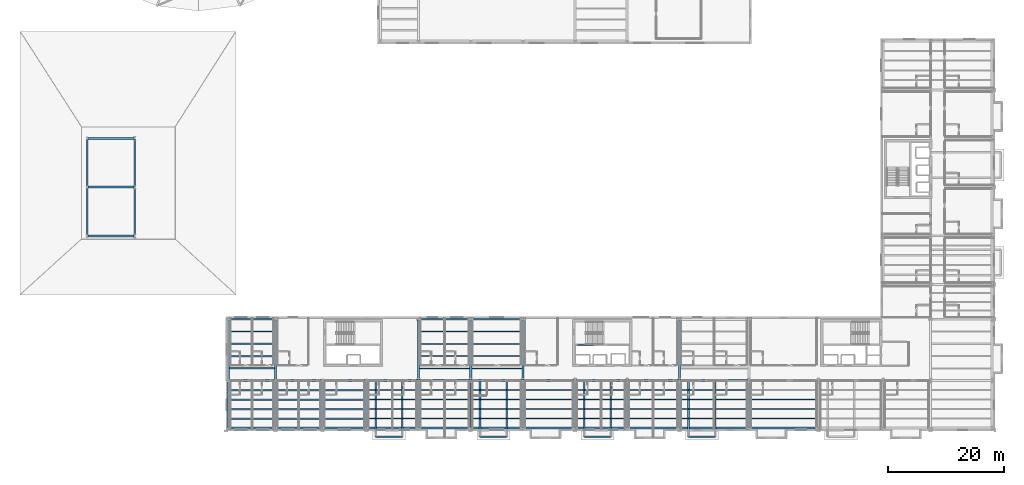
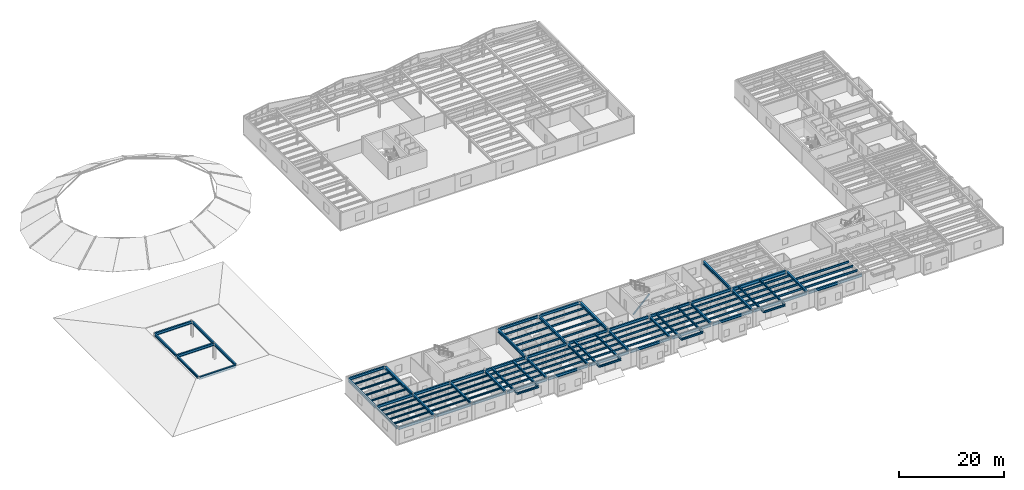
# One storey, part 10 of 46: 115 beams, 1 member.
"""IFC4 building model written with IfcOpenShell, lengths in metres."""

from ifc_helpers import new_model, si_unit, direction, frame, origin, origin_2d, place, context, subcontext, project, spatial, hollow_rectangle, i_section, extrude, material, material_profile, profile_set, type_object, element, save


model = new_model("IFC4")

# Units and contexts
model_context = context("Model", 3, precision=1e-05, world=origin(), true_north=direction((0.0, 1.0)))
body_context = subcontext(model_context, "Body", "Model", "MODEL_VIEW")
ifc_project = project(units=[si_unit("LENGTHUNIT", "METRE"), si_unit("AREAUNIT", "SQUARE_METRE"), si_unit("VOLUMEUNIT", "CUBIC_METRE"), si_unit("PLANEANGLEUNIT", "RADIAN"), si_unit("MASSUNIT", "GRAM", prefix="KILO")], contexts=[model_context])

# Site, building, storey
site_placement = place(None, origin())
site = spatial("IfcSite", under=ifc_project, at=site_placement, CompositionType="ELEMENT")
building_placement = place(site_placement, origin())
building = spatial("IfcBuilding", under=site, at=building_placement, Name="Sollismere Congress Hotel", CompositionType="ELEMENT")
storey_placement = place(building_placement, frame((0.0, 0.0, 19.5)))
storey = spatial("IfcBuildingStorey", under=building, at=storey_placement, Name="L04", CompositionType="ELEMENT", Elevation=19.5)

# Beams
ifc_material_1 = material(Name="Steel ASTM A992 Grade 50", Category="steel")
ifc_material_profile_1 = material_profile(ifc_material_1, i_section(OverallWidth=0.281982421875, OverallDepth=0.471923828125, WebThickness=0.013671875, FlangeThickness=0.022216796875, at=origin_2d()), Name="W18X97")
ifc_profile_set_1 = profile_set([ifc_material_profile_1], Name="Steel ASTM A992 Grade 50")
beam_type_1 = type_object("IfcBeamType", Name="BM-CK18E", PredefinedType="BEAM", material=ifc_profile_set_1)
for number, where, z_axis, x_axis, name in (
    (1, (59.60009765625, 8.199951171875, 3.3740234375), (0.0, -1.0, 0.0), (1.0, 0.0, 0.0), "Beam BM-L04-3926"),
    (2, (64.199951171875, 8.199951171875, 3.3740234375), (0.0, -1.0, 0.0), (1.0, 0.0, 0.0), "Beam BM-L04-3927"),
    (3, (77.60009765625, 8.199951171875, 3.3740234375), (0.0, -1.0, 0.0), (1.0, 0.0, 0.0), "Beam BM-L04-3929"),
    (4, (82.199951171875, 8.199951171875, 3.3740234375), (0.0, -1.0, 0.0), (1.0, 0.0, 0.0), "Beam BM-L04-3930"),
    (5, (95.60009765625, 8.199951171875, 3.3740234375), (0.0, -1.0, 0.0), (1.0, 0.0, 0.0), "Beam BM-L04-3932"),
    (6, (100.199951171875, 8.199951171875, 3.3740234375), (0.0, -1.0, 0.0), (1.0, 0.0, 0.0), "Beam BM-L04-3933"),
    (7, (113.60009765625, 8.199951171875, 3.3740234375), (0.0, -1.0, 0.0), (1.0, 0.0, 0.0), "Beam BM-L04-3935"),
    (8, (118.199951171875, 8.199951171875, 3.3740234375), (0.0, -1.0, 0.0), (1.0, 0.0, 0.0), "Beam BM-L04-3936"),
):
    element("IfcBeam", number, at=place(storey_placement, frame(where, z_axis=z_axis, x_axis=x_axis)), inside=storey, type_object=beam_type_1, Name=name, PredefinedType="BEAM", context=body_context, shape_type="SweptSolid", body=[
        extrude(i_section(OverallWidth=0.281982421875, OverallDepth=0.471923828125, WebThickness=0.013671875, FlangeThickness=0.022216796875, at=origin_2d()), origin(), (0.0, 0.0, 1.0), 9.68994140625),
    ])
ifc_material_profile_2 = material_profile(ifc_material_1, i_section(OverallWidth=0.31494140625, OverallDepth=0.551025390625, WebThickness=0.01513671875, FlangeThickness=0.0244140625, at=origin_2d()), Name="W21X122")
ifc_profile_set_2 = profile_set([ifc_material_profile_2], Name="Steel ASTM A992 Grade 50")
beam_type_2 = type_object("IfcBeamType", Name="BM-G21H", PredefinedType="BEAM", material=ifc_profile_set_2)
for number, where, z_axis, x_axis, name in (
    (9, (34.199951171875, 0.139892578125, 3.33447265625), (0.0, 1.0, 0.0), (-1.0, 0.0, 0.0), "Beam BM-L04-2719"),
    (10, (42.300048828125, 0.139892578125, 3.33447265625), (0.0, 1.0, 0.0), (-1.0, 0.0, 0.0), "Beam BM-L04-2721"),
    (11, (50.39990234375, 0.139892578125, 3.33447265625), (0.0, 1.0, 0.0), (-1.0, 0.0, 0.0), "Beam BM-L04-2723"),
    (12, (58.0, 0.139892578125, 3.33447265625), (0.0, 1.0, 0.0), (-1.0, 0.0, 0.0), "Beam BM-L04-2724"),
    (13, (67.0, 0.139892578125, 3.33447265625), (0.0, 1.0, 0.0), (-1.0, 0.0, 0.0), "Beam BM-L04-2729"),
    (14, (76.0, 0.139892578125, 3.33447265625), (0.0, 1.0, 0.0), (-1.0, 0.0, 0.0), "Beam BM-L04-2735"),
    (15, (85.0, 0.139892578125, 3.33447265625), (0.0, 1.0, 0.0), (-1.0, 0.0, 0.0), "Beam BM-L04-2738"),
    (16, (94.0, 0.139892578125, 3.33447265625), (0.0, 1.0, 0.0), (-1.0, 0.0, 0.0), "Beam BM-L04-2741"),
    (17, (103.0, 0.139892578125, 3.33447265625), (0.0, 1.0, 0.0), (-1.0, 0.0, 0.0), "Beam BM-L04-2746"),
    (18, (112.0, 0.139892578125, 3.33447265625), (0.0, 1.0, 0.0), (-1.0, 0.0, 0.0), "Beam BM-L04-2751"),
    (19, (124.0, 0.139892578125, 3.33447265625), (0.0, 1.0, 0.0), (-1.0, 0.0, 0.0), "Beam BM-L04-2756"),
):
    element("IfcBeam", number, at=place(storey_placement, frame(where, z_axis=z_axis, x_axis=x_axis)), inside=storey, type_object=beam_type_2, Name=name, PredefinedType="BEAM", context=body_context, shape_type="SweptSolid", body=[
        extrude(i_section(OverallWidth=0.31494140625, OverallDepth=0.551025390625, WebThickness=0.01513671875, FlangeThickness=0.0244140625, at=origin_2d()), origin(), (0.0, 0.0, 1.0), 7.920166015625),
    ])
ifc_material_profile_3 = material_profile(ifc_material_1, i_section(OverallWidth=0.31201171875, OverallDepth=0.5439453125, WebThickness=0.0126953125, FlangeThickness=0.020263671875, at=origin_2d()), Name="W21X101")
ifc_profile_set_3 = profile_set([ifc_material_profile_3], Name="Steel ASTM A992 Grade 50")
beam_type_3 = type_object("IfcBeamType", Name="BM-G21M", PredefinedType="BEAM", material=ifc_profile_set_3)
for number, where, z_axis, x_axis, name in (
    (20, (9.800048828125, 33.320068359375, 3.407958984375), (0.0, 1.0, 0.0), (-1.0, 0.0, 0.0), "Beam BM-L04-3863"),
    (21, (18.0, 33.320068359375, 3.407958984375), (0.0, 1.0, 0.0), (-1.0, 0.0, 0.0), "Beam BM-L04-3864"),
    (22, (9.800048828125, 41.719970703125, 3.407958984375), (0.0, 1.0, 0.0), (-1.0, 0.0, 0.0), "Beam BM-L04-3866"),
    (23, (18.0, 41.719970703125, 3.407958984375), (0.0, 1.0, 0.0), (-1.0, 0.0, 0.0), "Beam BM-L04-3867"),
):
    element("IfcBeam", number, at=place(storey_placement, frame(where, z_axis=z_axis, x_axis=x_axis)), inside=storey, type_object=beam_type_3, Name=name, PredefinedType="BEAM", context=body_context, shape_type="SweptSolid", body=[
        extrude(i_section(OverallWidth=0.31201171875, OverallDepth=0.5439453125, WebThickness=0.0126953125, FlangeThickness=0.020263671875, at=origin_2d()), origin(), (0.0, 0.0, 1.0), 8.159912109375),
    ])
ifc_material_profile_4 = material_profile(ifc_material_1, i_section(OverallWidth=0.324951171875, OverallDepth=0.612060546875, WebThickness=0.0126953125, FlangeThickness=0.01904296875, at=origin_2d()), Name="W24X104")
ifc_profile_set_4 = profile_set([ifc_material_profile_4], Name="Steel ASTM A992 Grade 50")
beam_type_4 = type_object("IfcBeamType", Name="BM-G24", PredefinedType="BEAM", material=ifc_profile_set_4)
beam_1_placement = place(storey_placement, frame((34.3310546875, 8.199951171875, 3.303955078125), z_axis=(1.0, 0.0, 0.0), x_axis=(0.0, 1.0, 0.0)))
element("IfcBeam", 24, at=beam_1_placement, inside=storey, type_object=beam_type_4, Name="Beam BM-L04-2665", PredefinedType="BEAM", context=body_context, shape_type="SweptSolid", body=[
    extrude(i_section(OverallWidth=0.324951171875, OverallDepth=0.612060546875, WebThickness=0.0126953125, FlangeThickness=0.01904296875, at=origin_2d()), origin(), (0.0, 0.0, 1.0), 7.837890625),
])
beam_2_placement = place(storey_placement, frame((42.430908203125, 8.199951171875, 3.303955078125), z_axis=(1.0, 0.0, 0.0), x_axis=(0.0, 1.0, 0.0)))
element("IfcBeam", 25, at=beam_2_placement, inside=storey, type_object=beam_type_4, Name="Beam BM-L04-2666", PredefinedType="BEAM", context=body_context, shape_type="SweptSolid", body=[
    extrude(i_section(OverallWidth=0.324951171875, OverallDepth=0.612060546875, WebThickness=0.0126953125, FlangeThickness=0.01904296875, at=origin_2d()), origin(), (0.0, 0.0, 1.0), 7.838134765625),
])
beam_3_placement = place(storey_placement, frame((50.531005859375, 8.199951171875, 3.303955078125), z_axis=(1.0, 0.0, 0.0), x_axis=(0.0, 1.0, 0.0)))
element("IfcBeam", 26, at=beam_3_placement, inside=storey, type_object=beam_type_4, Name="Beam BM-L04-2667", PredefinedType="BEAM", context=body_context, shape_type="SweptSolid", body=[
    extrude(i_section(OverallWidth=0.324951171875, OverallDepth=0.612060546875, WebThickness=0.0126953125, FlangeThickness=0.01904296875, at=origin_2d()), origin(), (0.0, 0.0, 1.0), 7.337890625),
])
beam_4_placement = place(storey_placement, frame((58.131103515625, 8.199951171875, 3.303955078125), z_axis=(1.0, 0.0, 0.0), x_axis=(0.0, 1.0, 0.0)))
element("IfcBeam", 27, at=beam_4_placement, inside=storey, type_object=beam_type_4, Name="Beam BM-L04-2668", PredefinedType="BEAM", context=body_context, shape_type="SweptSolid", body=[
    extrude(i_section(OverallWidth=0.324951171875, OverallDepth=0.612060546875, WebThickness=0.0126953125, FlangeThickness=0.01904296875, at=origin_2d()), origin(), (0.0, 0.0, 1.0), 8.72900390625),
])
for number, where, z_axis, x_axis, name in (
    (28, (67.139892578125, 8.199951171875, 3.303955078125), (1.0, 0.0, 0.0), (0.0, 1.0, 0.0), "Beam BM-L04-2669"),
    (29, (76.139892578125, 8.199951171875, 3.303955078125), (1.0, 0.0, 0.0), (0.0, 1.0, 0.0), "Beam BM-L04-2670"),
    (30, (85.139892578125, 8.199951171875, 3.303955078125), (1.0, 0.0, 0.0), (0.0, 1.0, 0.0), "Beam BM-L04-2671"),
    (31, (94.139892578125, 8.199951171875, 3.303955078125), (1.0, 0.0, 0.0), (0.0, 1.0, 0.0), "Beam BM-L04-2672"),
    (32, (103.139892578125, 8.199951171875, 3.303955078125), (1.0, 0.0, 0.0), (0.0, 1.0, 0.0), "Beam BM-L04-2673"),
):
    element("IfcBeam", number, at=place(storey_placement, frame(where, z_axis=z_axis, x_axis=x_axis)), inside=storey, type_object=beam_type_4, Name=name, PredefinedType="BEAM", context=body_context, shape_type="SweptSolid", body=[
        extrude(i_section(OverallWidth=0.324951171875, OverallDepth=0.612060546875, WebThickness=0.0126953125, FlangeThickness=0.01904296875, at=origin_2d()), origin(), (0.0, 0.0, 1.0), 8.72021484375),
    ])
beam_5_placement = place(storey_placement, frame((34.3310546875, 18.800048828125, 3.303955078125), z_axis=(1.0, 0.0, 0.0), x_axis=(0.0, 1.0, 0.0)))
element("IfcBeam", 33, at=beam_5_placement, inside=storey, type_object=beam_type_4, Name="Beam BM-L04-2679", PredefinedType="BEAM", context=body_context, shape_type="SweptSolid", body=[
    extrude(i_section(OverallWidth=0.324951171875, OverallDepth=0.612060546875, WebThickness=0.0126953125, FlangeThickness=0.01904296875, at=origin_2d()), origin(), (0.0, 0.0, 1.0), 7.837890625),
])
for number, where, z_axis, x_axis, name in (
    (34, (67.139892578125, 18.800048828125, 3.303955078125), (1.0, 0.0, 0.0), (0.0, 1.0, 0.0), "Beam BM-L04-2680"),
    (35, (76.139892578125, 18.800048828125, 3.303955078125), (1.0, 0.0, 0.0), (0.0, 1.0, 0.0), "Beam BM-L04-2681"),
):
    element("IfcBeam", number, at=place(storey_placement, frame(where, z_axis=z_axis, x_axis=x_axis)), inside=storey, type_object=beam_type_4, Name=name, PredefinedType="BEAM", context=body_context, shape_type="SweptSolid", body=[
        extrude(i_section(OverallWidth=0.324951171875, OverallDepth=0.612060546875, WebThickness=0.0126953125, FlangeThickness=0.01904296875, at=origin_2d()), origin(), (0.0, 0.0, 1.0), 8.72021484375),
    ])
ifc_material_profile_5 = material_profile(ifc_material_1, i_section(OverallWidth=0.330078125, OverallDepth=0.635009765625, WebThickness=0.017822265625, FlangeThickness=0.031005859375, at=origin_2d()), Name="W24X162")
ifc_profile_set_5 = profile_set([ifc_material_profile_5], Name="Steel ASTM A992 Grade 50")
beam_type_5 = type_object("IfcBeamType", Name="BM-G24H", PredefinedType="BEAM", material=ifc_profile_set_5)
for number, where, z_axis, x_axis, name in (
    (36, (9.919921875, 33.199951171875, 3.362548828125), (1.0, 0.0, 0.0), (0.0, 1.0, 0.0), "Beam BM-L04-3862"),
    (37, (9.919921875, 41.60009765625, 3.362548828125), (1.0, 0.0, 0.0), (0.0, 1.0, 0.0), "Beam BM-L04-3865"),
    (38, (9.919921875, 50.0, 3.362548828125), (1.0, 0.0, 0.0), (0.0, 1.0, 0.0), "Beam BM-L04-3868"),
):
    element("IfcBeam", number, at=place(storey_placement, frame(where, z_axis=z_axis, x_axis=x_axis)), inside=storey, type_object=beam_type_5, Name=name, PredefinedType="BEAM", context=body_context, shape_type="SweptSolid", body=[
        extrude(i_section(OverallWidth=0.330078125, OverallDepth=0.635009765625, WebThickness=0.017822265625, FlangeThickness=0.031005859375, at=origin_2d()), origin(), (0.0, 0.0, 1.0), 7.9599609375),
    ])
ifc_material_profile_6 = material_profile(ifc_material_1, i_section(OverallWidth=0.35595703125, OverallDepth=0.696044921875, WebThickness=0.015380859375, FlangeThickness=0.025146484375, at=origin_2d()), Name="W27X146")
ifc_profile_set_6 = profile_set([ifc_material_profile_6], Name="Steel ASTM A992 Grade 50")
beam_type_6 = type_object("IfcBeamType", Name="BM-G27", PredefinedType="BEAM", material=ifc_profile_set_6)
for number, where, z_axis, x_axis, name in (
    (39, (34.199951171875, 8.340087890625, 3.261962890625), (0.0, 1.0, 0.0), (-1.0, 0.0, 0.0), "Beam BM-L04-2720"),
    (40, (42.300048828125, 8.340087890625, 3.261962890625), (0.0, 1.0, 0.0), (-1.0, 0.0, 0.0), "Beam BM-L04-2722"),
    (41, (67.0, 8.340087890625, 3.261962890625), (0.0, 1.0, 0.0), (-1.0, 0.0, 0.0), "Beam BM-L04-2730"),
    (42, (76.0, 8.340087890625, 3.261962890625), (0.0, 1.0, 0.0), (-1.0, 0.0, 0.0), "Beam BM-L04-2736"),
    (43, (85.0, 8.340087890625, 3.261962890625), (0.0, 1.0, 0.0), (-1.0, 0.0, 0.0), "Beam BM-L04-2739"),
    (44, (112.0, 8.340087890625, 3.261962890625), (0.0, 1.0, 0.0), (-1.0, 0.0, 0.0), "Beam BM-L04-2752"),
):
    element("IfcBeam", number, at=place(storey_placement, frame(where, z_axis=z_axis, x_axis=x_axis)), inside=storey, type_object=beam_type_6, Name=name, PredefinedType="BEAM", context=body_context, shape_type="SweptSolid", body=[
        extrude(i_section(OverallWidth=0.35595703125, OverallDepth=0.696044921875, WebThickness=0.015380859375, FlangeThickness=0.025146484375, at=origin_2d()), origin(), (0.0, 0.0, 1.0), 10.31982421875),
    ])
ifc_material_profile_7 = material_profile(ifc_material_1, i_section(OverallWidth=0.384033203125, OverallDepth=0.787109375, WebThickness=0.019775390625, FlangeThickness=0.033447265625, at=origin_2d()), Name="W30X211")
ifc_profile_set_7 = profile_set([ifc_material_profile_7], Name="Steel ASTM A992 Grade 50")
beam_type_7 = type_object("IfcBeamType", Name="BM-G30", PredefinedType="BEAM", material=ifc_profile_set_7)
beam_6_placement = place(storey_placement, frame((112.139892578125, 8.199951171875, 3.216552734375), z_axis=(1.0, 0.0, 0.0), x_axis=(0.0, 1.0, 0.0)))
element("IfcBeam", 45, at=beam_6_placement, inside=storey, type_object=beam_type_7, Name="Beam BM-L04-2674", PredefinedType="BEAM", context=body_context, shape_type="SweptSolid", body=[
    extrude(i_section(OverallWidth=0.384033203125, OverallDepth=0.787109375, WebThickness=0.019775390625, FlangeThickness=0.033447265625, at=origin_2d()), origin(), (0.0, 0.0, 1.0), 11.72021484375),
])
ifc_material_profile_8 = material_profile(ifc_material_1, i_section(OverallWidth=0.25390625, OverallDepth=0.35595703125, WebThickness=0.010498046875, FlangeThickness=0.018310546875, at=origin_2d()), Name="W14X68")
ifc_profile_set_8 = profile_set([ifc_material_profile_8], Name="Steel ASTM A992 Grade 50")
beam_type_8 = type_object("IfcBeamType", Name="BM-J14", PredefinedType="JOIST", material=ifc_profile_set_8)
for number, where, z_axis, x_axis, name in (
    (46, (34.357421875, 1.639892578125, 3.431884765625), (1.0, 0.0, 0.0), (0.0, 1.0, 0.0), "Beam BM-L04-2778"),
    (47, (34.357421875, 3.280029296875, 3.431884765625), (1.0, 0.0, 0.0), (0.0, 1.0, 0.0), "Beam BM-L04-2779"),
    (48, (34.357421875, 4.919921875, 3.431884765625), (1.0, 0.0, 0.0), (0.0, 1.0, 0.0), "Beam BM-L04-2780"),
    (49, (34.357421875, 6.56005859375, 3.431884765625), (1.0, 0.0, 0.0), (0.0, 1.0, 0.0), "Beam BM-L04-2781"),
):
    element("IfcBeam", number, at=place(storey_placement, frame(where, z_axis=z_axis, x_axis=x_axis)), inside=storey, type_object=beam_type_8, Name=name, PredefinedType="JOIST", context=body_context, shape_type="SweptSolid", body=[
        extrude(i_section(OverallWidth=0.25390625, OverallDepth=0.35595703125, WebThickness=0.010498046875, FlangeThickness=0.018310546875, at=origin_2d()), origin(), (0.0, 0.0, 1.0), 7.78515625),
    ])
for number, where, z_axis, x_axis, name in (
    (50, (34.3779296875, 10.320068359375, 3.431884765625), (1.0, 0.0, 0.0), (0.0, 1.0, 0.0), "Beam BM-L04-2782"),
    (51, (34.3779296875, 12.43994140625, 3.431884765625), (1.0, 0.0, 0.0), (0.0, 1.0, 0.0), "Beam BM-L04-2783"),
    (52, (34.3779296875, 14.56005859375, 3.431884765625), (1.0, 0.0, 0.0), (0.0, 1.0, 0.0), "Beam BM-L04-2784"),
    (53, (34.3779296875, 16.679931640625, 3.431884765625), (1.0, 0.0, 0.0), (0.0, 1.0, 0.0), "Beam BM-L04-2785"),
):
    element("IfcBeam", number, at=place(storey_placement, frame(where, z_axis=z_axis, x_axis=x_axis)), inside=storey, type_object=beam_type_8, Name=name, PredefinedType="JOIST", context=body_context, shape_type="SweptSolid", body=[
        extrude(i_section(OverallWidth=0.25390625, OverallDepth=0.35595703125, WebThickness=0.010498046875, FlangeThickness=0.018310546875, at=origin_2d()), origin(), (0.0, 0.0, 1.0), 7.744140625),
    ])
for number, where, z_axis, x_axis, name in (
    (54, (42.45751953125, 1.639892578125, 3.431884765625), (1.0, 0.0, 0.0), (0.0, 1.0, 0.0), "Beam BM-L04-2786"),
    (55, (42.45751953125, 3.280029296875, 3.431884765625), (1.0, 0.0, 0.0), (0.0, 1.0, 0.0), "Beam BM-L04-2787"),
    (56, (42.45751953125, 4.919921875, 3.431884765625), (1.0, 0.0, 0.0), (0.0, 1.0, 0.0), "Beam BM-L04-2788"),
    (57, (42.45751953125, 6.56005859375, 3.431884765625), (1.0, 0.0, 0.0), (0.0, 1.0, 0.0), "Beam BM-L04-2789"),
):
    element("IfcBeam", number, at=place(storey_placement, frame(where, z_axis=z_axis, x_axis=x_axis)), inside=storey, type_object=beam_type_8, Name=name, PredefinedType="JOIST", context=body_context, shape_type="SweptSolid", body=[
        extrude(i_section(OverallWidth=0.25390625, OverallDepth=0.35595703125, WebThickness=0.010498046875, FlangeThickness=0.018310546875, at=origin_2d()), origin(), (0.0, 0.0, 1.0), 7.784912109375),
    ])
for number, where, z_axis, x_axis, name in (
    (58, (50.5576171875, 1.639892578125, 3.431884765625), (1.0, 0.0, 0.0), (0.0, 1.0, 0.0), "Beam BM-L04-2790"),
    (59, (50.5576171875, 3.280029296875, 3.431884765625), (1.0, 0.0, 0.0), (0.0, 1.0, 0.0), "Beam BM-L04-2791"),
    (60, (50.5576171875, 4.919921875, 3.431884765625), (1.0, 0.0, 0.0), (0.0, 1.0, 0.0), "Beam BM-L04-2792"),
    (61, (50.5576171875, 6.56005859375, 3.431884765625), (1.0, 0.0, 0.0), (0.0, 1.0, 0.0), "Beam BM-L04-2793"),
):
    element("IfcBeam", number, at=place(storey_placement, frame(where, z_axis=z_axis, x_axis=x_axis)), inside=storey, type_object=beam_type_8, Name=name, PredefinedType="JOIST", context=body_context, shape_type="SweptSolid", body=[
        extrude(i_section(OverallWidth=0.25390625, OverallDepth=0.35595703125, WebThickness=0.010498046875, FlangeThickness=0.018310546875, at=origin_2d()), origin(), (0.0, 0.0, 1.0), 7.284912109375),
    ])
ifc_material_profile_9 = material_profile(ifc_material_1, i_section(OverallWidth=0.180908203125, OverallDepth=0.4169921875, WebThickness=0.010986328125, FlangeThickness=0.018310546875, at=origin_2d()), Name="W16X57")
ifc_profile_set_9 = profile_set([ifc_material_profile_9], Name="Steel ASTM A992 Grade 50")
beam_type_9 = type_object("IfcBeamType", Name="BM-J16", PredefinedType="JOIST", material=ifc_profile_set_9)
for number, where, z_axis, x_axis, name in (
    (62, (58.157470703125, 1.639892578125, 3.401611328125), (1.0, 0.0, 0.0), (0.0, 1.0, 0.0), "Beam BM-L04-2794"),
    (63, (58.157470703125, 3.280029296875, 3.401611328125), (1.0, 0.0, 0.0), (0.0, 1.0, 0.0), "Beam BM-L04-2795"),
    (64, (58.157470703125, 4.919921875, 3.401611328125), (1.0, 0.0, 0.0), (0.0, 1.0, 0.0), "Beam BM-L04-2796"),
    (65, (58.157470703125, 6.56005859375, 3.401611328125), (1.0, 0.0, 0.0), (0.0, 1.0, 0.0), "Beam BM-L04-2797"),
    (66, (67.157470703125, 1.639892578125, 3.401611328125), (1.0, 0.0, 0.0), (0.0, 1.0, 0.0), "Beam BM-L04-2813"),
    (67, (67.157470703125, 3.280029296875, 3.401611328125), (1.0, 0.0, 0.0), (0.0, 1.0, 0.0), "Beam BM-L04-2814"),
    (68, (67.157470703125, 4.919921875, 3.401611328125), (1.0, 0.0, 0.0), (0.0, 1.0, 0.0), "Beam BM-L04-2815"),
    (69, (67.157470703125, 6.56005859375, 3.401611328125), (1.0, 0.0, 0.0), (0.0, 1.0, 0.0), "Beam BM-L04-2816"),
):
    element("IfcBeam", number, at=place(storey_placement, frame(where, z_axis=z_axis, x_axis=x_axis)), inside=storey, type_object=beam_type_9, Name=name, PredefinedType="JOIST", context=body_context, shape_type="SweptSolid", body=[
        extrude(i_section(OverallWidth=0.180908203125, OverallDepth=0.4169921875, WebThickness=0.010986328125, FlangeThickness=0.018310546875, at=origin_2d()), origin(), (0.0, 0.0, 1.0), 8.68505859375),
    ])
for number, where, z_axis, x_axis, name in (
    (70, (67.177978515625, 10.320068359375, 3.401611328125), (1.0, 0.0, 0.0), (0.0, 1.0, 0.0), "Beam BM-L04-2817"),
    (71, (67.177978515625, 12.43994140625, 3.401611328125), (1.0, 0.0, 0.0), (0.0, 1.0, 0.0), "Beam BM-L04-2818"),
    (72, (67.177978515625, 14.56005859375, 3.401611328125), (1.0, 0.0, 0.0), (0.0, 1.0, 0.0), "Beam BM-L04-2819"),
    (73, (67.177978515625, 16.679931640625, 3.401611328125), (1.0, 0.0, 0.0), (0.0, 1.0, 0.0), "Beam BM-L04-2820"),
):
    element("IfcBeam", number, at=place(storey_placement, frame(where, z_axis=z_axis, x_axis=x_axis)), inside=storey, type_object=beam_type_9, Name=name, PredefinedType="JOIST", context=body_context, shape_type="SweptSolid", body=[
        extrude(i_section(OverallWidth=0.180908203125, OverallDepth=0.4169921875, WebThickness=0.010986328125, FlangeThickness=0.018310546875, at=origin_2d()), origin(), (0.0, 0.0, 1.0), 8.64404296875),
    ])
for number, where, z_axis, x_axis, name in (
    (74, (76.157470703125, 1.639892578125, 3.401611328125), (1.0, 0.0, 0.0), (0.0, 1.0, 0.0), "Beam BM-L04-2824"),
    (75, (76.157470703125, 3.280029296875, 3.401611328125), (1.0, 0.0, 0.0), (0.0, 1.0, 0.0), "Beam BM-L04-2825"),
    (76, (76.157470703125, 4.919921875, 3.401611328125), (1.0, 0.0, 0.0), (0.0, 1.0, 0.0), "Beam BM-L04-2826"),
    (77, (76.157470703125, 6.56005859375, 3.401611328125), (1.0, 0.0, 0.0), (0.0, 1.0, 0.0), "Beam BM-L04-2827"),
):
    element("IfcBeam", number, at=place(storey_placement, frame(where, z_axis=z_axis, x_axis=x_axis)), inside=storey, type_object=beam_type_9, Name=name, PredefinedType="JOIST", context=body_context, shape_type="SweptSolid", body=[
        extrude(i_section(OverallWidth=0.180908203125, OverallDepth=0.4169921875, WebThickness=0.010986328125, FlangeThickness=0.018310546875, at=origin_2d()), origin(), (0.0, 0.0, 1.0), 8.68505859375),
    ])
for number, where, z_axis, x_axis, name in (
    (78, (76.177978515625, 10.320068359375, 3.401611328125), (1.0, 0.0, 0.0), (0.0, 1.0, 0.0), "Beam BM-L04-2828"),
    (79, (76.177978515625, 12.43994140625, 3.401611328125), (1.0, 0.0, 0.0), (0.0, 1.0, 0.0), "Beam BM-L04-2829"),
    (80, (76.177978515625, 14.56005859375, 3.401611328125), (1.0, 0.0, 0.0), (0.0, 1.0, 0.0), "Beam BM-L04-2830"),
    (81, (76.177978515625, 16.679931640625, 3.401611328125), (1.0, 0.0, 0.0), (0.0, 1.0, 0.0), "Beam BM-L04-2831"),
):
    element("IfcBeam", number, at=place(storey_placement, frame(where, z_axis=z_axis, x_axis=x_axis)), inside=storey, type_object=beam_type_9, Name=name, PredefinedType="JOIST", context=body_context, shape_type="SweptSolid", body=[
        extrude(i_section(OverallWidth=0.180908203125, OverallDepth=0.4169921875, WebThickness=0.010986328125, FlangeThickness=0.018310546875, at=origin_2d()), origin(), (0.0, 0.0, 1.0), 8.64404296875),
    ])
for number, where, z_axis, x_axis, name in (
    (82, (85.157470703125, 1.639892578125, 3.401611328125), (1.0, 0.0, 0.0), (0.0, 1.0, 0.0), "Beam BM-L04-2835"),
    (83, (85.157470703125, 3.280029296875, 3.401611328125), (1.0, 0.0, 0.0), (0.0, 1.0, 0.0), "Beam BM-L04-2836"),
    (84, (85.157470703125, 4.919921875, 3.401611328125), (1.0, 0.0, 0.0), (0.0, 1.0, 0.0), "Beam BM-L04-2837"),
    (85, (85.157470703125, 6.56005859375, 3.401611328125), (1.0, 0.0, 0.0), (0.0, 1.0, 0.0), "Beam BM-L04-2838"),
    (86, (94.157470703125, 1.639892578125, 3.401611328125), (1.0, 0.0, 0.0), (0.0, 1.0, 0.0), "Beam BM-L04-2842"),
    (87, (94.157470703125, 3.280029296875, 3.401611328125), (1.0, 0.0, 0.0), (0.0, 1.0, 0.0), "Beam BM-L04-2843"),
    (88, (94.157470703125, 4.919921875, 3.401611328125), (1.0, 0.0, 0.0), (0.0, 1.0, 0.0), "Beam BM-L04-2844"),
    (89, (94.157470703125, 6.56005859375, 3.401611328125), (1.0, 0.0, 0.0), (0.0, 1.0, 0.0), "Beam BM-L04-2845"),
    (90, (103.157470703125, 1.639892578125, 3.401611328125), (1.0, 0.0, 0.0), (0.0, 1.0, 0.0), "Beam BM-L04-2861"),
    (91, (103.157470703125, 3.280029296875, 3.401611328125), (1.0, 0.0, 0.0), (0.0, 1.0, 0.0), "Beam BM-L04-2862"),
    (92, (103.157470703125, 4.919921875, 3.401611328125), (1.0, 0.0, 0.0), (0.0, 1.0, 0.0), "Beam BM-L04-2863"),
    (93, (103.157470703125, 6.56005859375, 3.401611328125), (1.0, 0.0, 0.0), (0.0, 1.0, 0.0), "Beam BM-L04-2864"),
):
    element("IfcBeam", number, at=place(storey_placement, frame(where, z_axis=z_axis, x_axis=x_axis)), inside=storey, type_object=beam_type_9, Name=name, PredefinedType="JOIST", context=body_context, shape_type="SweptSolid", body=[
        extrude(i_section(OverallWidth=0.180908203125, OverallDepth=0.4169921875, WebThickness=0.010986328125, FlangeThickness=0.018310546875, at=origin_2d()), origin(), (0.0, 0.0, 1.0), 8.68505859375),
    ])
ifc_material_profile_10 = material_profile(ifc_material_1, i_section(OverallWidth=0.193115234375, OverallDepth=0.467041015625, WebThickness=0.011474609375, FlangeThickness=0.01904296875, at=origin_2d()), Name="W18X65")
ifc_profile_set_10 = profile_set([ifc_material_profile_10], Name="Steel ASTM A992 Grade 50")
beam_type_10 = type_object("IfcBeamType", Name="BM-J18", PredefinedType="JOIST", material=ifc_profile_set_10)
for number, where, z_axis, x_axis, name in (
    (94, (112.157470703125, 1.639892578125, 3.37646484375), (1.0, 0.0, 0.0), (0.0, 1.0, 0.0), "Beam BM-L04-2876"),
    (95, (112.157470703125, 3.280029296875, 3.37646484375), (1.0, 0.0, 0.0), (0.0, 1.0, 0.0), "Beam BM-L04-2877"),
    (96, (112.157470703125, 4.919921875, 3.37646484375), (1.0, 0.0, 0.0), (0.0, 1.0, 0.0), "Beam BM-L04-2878"),
    (97, (112.157470703125, 6.56005859375, 3.37646484375), (1.0, 0.0, 0.0), (0.0, 1.0, 0.0), "Beam BM-L04-2879"),
    (98, (124.157470703125, 1.639892578125, 3.37646484375), (1.0, 0.0, 0.0), (0.0, 1.0, 0.0), "Beam BM-L04-2895"),
    (99, (124.157470703125, 3.280029296875, 3.37646484375), (1.0, 0.0, 0.0), (0.0, 1.0, 0.0), "Beam BM-L04-2896"),
    (100, (124.157470703125, 4.919921875, 3.37646484375), (1.0, 0.0, 0.0), (0.0, 1.0, 0.0), "Beam BM-L04-2897"),
):
    element("IfcBeam", number, at=place(storey_placement, frame(where, z_axis=z_axis, x_axis=x_axis)), inside=storey, type_object=beam_type_10, Name=name, PredefinedType="JOIST", context=body_context, shape_type="SweptSolid", body=[
        extrude(i_section(OverallWidth=0.193115234375, OverallDepth=0.467041015625, WebThickness=0.011474609375, FlangeThickness=0.01904296875, at=origin_2d()), origin(), (0.0, 0.0, 1.0), 11.68505859375),
    ])
ifc_material_profile_11 = material_profile(ifc_material_1, i_section(OverallWidth=0.261962890625, OverallDepth=0.4189453125, WebThickness=0.01171875, FlangeThickness=0.019287109375, at=origin_2d()), Name="W16X77")
ifc_profile_set_11 = profile_set([ifc_material_profile_11], Name="Steel ASTM A992 Grade 50")
beam_type_11 = type_object("IfcBeamType", Name="BM-LN16E", PredefinedType="LINTEL", material=ifc_profile_set_11)
for number, where, z_axis, x_axis, name in (
    (101, (59.60009765625, -1.489990234375, 3.400390625), (1.0, 0.0, 0.0), (0.0, 1.0, 0.0), "Beam BM-L04-3928"),
    (102, (77.60009765625, -1.489990234375, 3.400390625), (1.0, 0.0, 0.0), (0.0, 1.0, 0.0), "Beam BM-L04-3931"),
    (103, (95.60009765625, -1.489990234375, 3.400390625), (1.0, 0.0, 0.0), (0.0, 1.0, 0.0), "Beam BM-L04-3934"),
    (104, (113.60009765625, -1.489990234375, 3.400390625), (1.0, 0.0, 0.0), (0.0, 1.0, 0.0), "Beam BM-L04-3937"),
):
    element("IfcBeam", number, at=place(storey_placement, frame(where, z_axis=z_axis, x_axis=x_axis)), inside=storey, type_object=beam_type_11, Name=name, PredefinedType="LINTEL", context=body_context, shape_type="SweptSolid", body=[
        extrude(i_section(OverallWidth=0.261962890625, OverallDepth=0.4189453125, WebThickness=0.01171875, FlangeThickness=0.019287109375, at=origin_2d()), origin(), (0.0, 0.0, 1.0), 4.599853515625),
    ])
ifc_material_profile_12 = material_profile(ifc_material_1, i_section(OverallWidth=0.31494140625, OverallDepth=0.551025390625, WebThickness=0.01513671875, FlangeThickness=0.0244140625, at=origin_2d()), Name="W21X122")
ifc_profile_set_12 = profile_set([ifc_material_profile_12], Name="Steel ASTM A992 Grade 50")
beam_type_12 = type_object("IfcBeamType", Name="BM-SP21E", PredefinedType="SPANDREL", material=ifc_profile_set_12)
beam_7_placement = place(storey_placement, frame((50.531005859375, 0.0, 3.33447265625), z_axis=(1.0, 0.0, 0.0), x_axis=(0.0, 1.0, 0.0)))
element("IfcBeam", 105, at=beam_7_placement, inside=storey, type_object=beam_type_12, Name="Beam BM-L04-2653", PredefinedType="SPANDREL", context=body_context, shape_type="SweptSolid", body=[
    extrude(i_section(OverallWidth=0.31494140625, OverallDepth=0.551025390625, WebThickness=0.01513671875, FlangeThickness=0.0244140625, at=origin_2d()), origin(), (0.0, 0.0, 1.0), 7.337890625),
])
ifc_material_profile_13 = material_profile(ifc_material_1, i_section(OverallWidth=0.330078125, OverallDepth=0.635009765625, WebThickness=0.017822265625, FlangeThickness=0.031005859375, at=origin_2d()), Name="W24X162")
ifc_profile_set_13 = profile_set([ifc_material_profile_13], Name="Steel ASTM A992 Grade 50")
beam_type_13 = type_object("IfcBeamType", Name="BM-SP24E", PredefinedType="SPANDREL", material=ifc_profile_set_13)
beam_8_placement = place(storey_placement, frame((34.3310546875, 0.0, 3.29248046875), z_axis=(1.0, 0.0, 0.0), x_axis=(0.0, 1.0, 0.0)))
element("IfcBeam", 106, at=beam_8_placement, inside=storey, type_object=beam_type_13, Name="Beam BM-L04-2651", PredefinedType="SPANDREL", context=body_context, shape_type="SweptSolid", body=[
    extrude(i_section(OverallWidth=0.330078125, OverallDepth=0.635009765625, WebThickness=0.017822265625, FlangeThickness=0.031005859375, at=origin_2d()), origin(), (0.0, 0.0, 1.0), 7.837890625),
])
beam_9_placement = place(storey_placement, frame((42.430908203125, 0.0, 3.29248046875), z_axis=(1.0, 0.0, 0.0), x_axis=(0.0, 1.0, 0.0)))
element("IfcBeam", 107, at=beam_9_placement, inside=storey, type_object=beam_type_13, Name="Beam BM-L04-2652", PredefinedType="SPANDREL", context=body_context, shape_type="SweptSolid", body=[
    extrude(i_section(OverallWidth=0.330078125, OverallDepth=0.635009765625, WebThickness=0.017822265625, FlangeThickness=0.031005859375, at=origin_2d()), origin(), (0.0, 0.0, 1.0), 7.838134765625),
])
beam_10_placement = place(storey_placement, frame((58.131103515625, 0.0, 3.29248046875), z_axis=(1.0, 0.0, 0.0), x_axis=(0.0, 1.0, 0.0)))
element("IfcBeam", 108, at=beam_10_placement, inside=storey, type_object=beam_type_13, Name="Beam BM-L04-2654", PredefinedType="SPANDREL", context=body_context, shape_type="SweptSolid", body=[
    extrude(i_section(OverallWidth=0.330078125, OverallDepth=0.635009765625, WebThickness=0.017822265625, FlangeThickness=0.031005859375, at=origin_2d()), origin(), (0.0, 0.0, 1.0), 8.72900390625),
])
for number, where, z_axis, x_axis, name in (
    (109, (67.139892578125, 0.0, 3.29248046875), (1.0, 0.0, 0.0), (0.0, 1.0, 0.0), "Beam BM-L04-2655"),
    (110, (76.139892578125, 0.0, 3.29248046875), (1.0, 0.0, 0.0), (0.0, 1.0, 0.0), "Beam BM-L04-2656"),
    (111, (85.139892578125, 0.0, 3.29248046875), (1.0, 0.0, 0.0), (0.0, 1.0, 0.0), "Beam BM-L04-2657"),
    (112, (94.139892578125, 0.0, 3.29248046875), (1.0, 0.0, 0.0), (0.0, 1.0, 0.0), "Beam BM-L04-2658"),
    (113, (103.139892578125, 0.0, 3.29248046875), (1.0, 0.0, 0.0), (0.0, 1.0, 0.0), "Beam BM-L04-2659"),
):
    element("IfcBeam", number, at=place(storey_placement, frame(where, z_axis=z_axis, x_axis=x_axis)), inside=storey, type_object=beam_type_13, Name=name, PredefinedType="SPANDREL", context=body_context, shape_type="SweptSolid", body=[
        extrude(i_section(OverallWidth=0.330078125, OverallDepth=0.635009765625, WebThickness=0.017822265625, FlangeThickness=0.031005859375, at=origin_2d()), origin(), (0.0, 0.0, 1.0), 8.72021484375),
    ])
for number, where, z_axis, x_axis, name in (
    (114, (112.139892578125, 0.0, 3.29248046875), (1.0, 0.0, 0.0), (0.0, 1.0, 0.0), "Beam BM-L04-2660"),
    (115, (124.139892578125, 0.0, 3.29248046875), (1.0, 0.0, 0.0), (0.0, 1.0, 0.0), "Beam BM-L04-2661"),
):
    element("IfcBeam", number, at=place(storey_placement, frame(where, z_axis=z_axis, x_axis=x_axis)), inside=storey, type_object=beam_type_13, Name=name, PredefinedType="SPANDREL", context=body_context, shape_type="SweptSolid", body=[
        extrude(i_section(OverallWidth=0.330078125, OverallDepth=0.635009765625, WebThickness=0.017822265625, FlangeThickness=0.031005859375, at=origin_2d()), origin(), (0.0, 0.0, 1.0), 11.72021484375),
    ])

# Member
ifc_material_2 = material(Name="Steel ASTM A500 Grade C", Category="steel")
ifc_material_profile_14 = material_profile(ifc_material_2, hollow_rectangle(XDim=0.25, YDim=0.25, WallThickness=0.010009765625, at=origin_2d()), Name="HSS250X250X10")
ifc_profile_set_14 = profile_set([ifc_material_profile_14], Name="Steel ASTM A500 Grade C")
member_type = type_object("IfcMemberType", Name="MB-BR250", PredefinedType="BRACE", material=ifc_profile_set_14)
member_placement = place(storey_placement, frame((94.050048828125, 14.35009765625, 0.02001953125), z_axis=(0.705115832036, 0.0, 0.709092140284), x_axis=(0.0, 1.0, 0.0)))
element("IfcMember", 116, at=member_placement, inside=storey, type_object=member_type, Name="BF-009 diagonal brace", PredefinedType="BRACE", context=body_context, shape_type="SweptSolid", body=[
    extrude(hollow_rectangle(XDim=0.25, YDim=0.25, WallThickness=0.010009765625, at=origin_2d()), origin(), (0.0, 0.0, 1.0), 5.03466796875),
])

save(model, "model.ifc")
